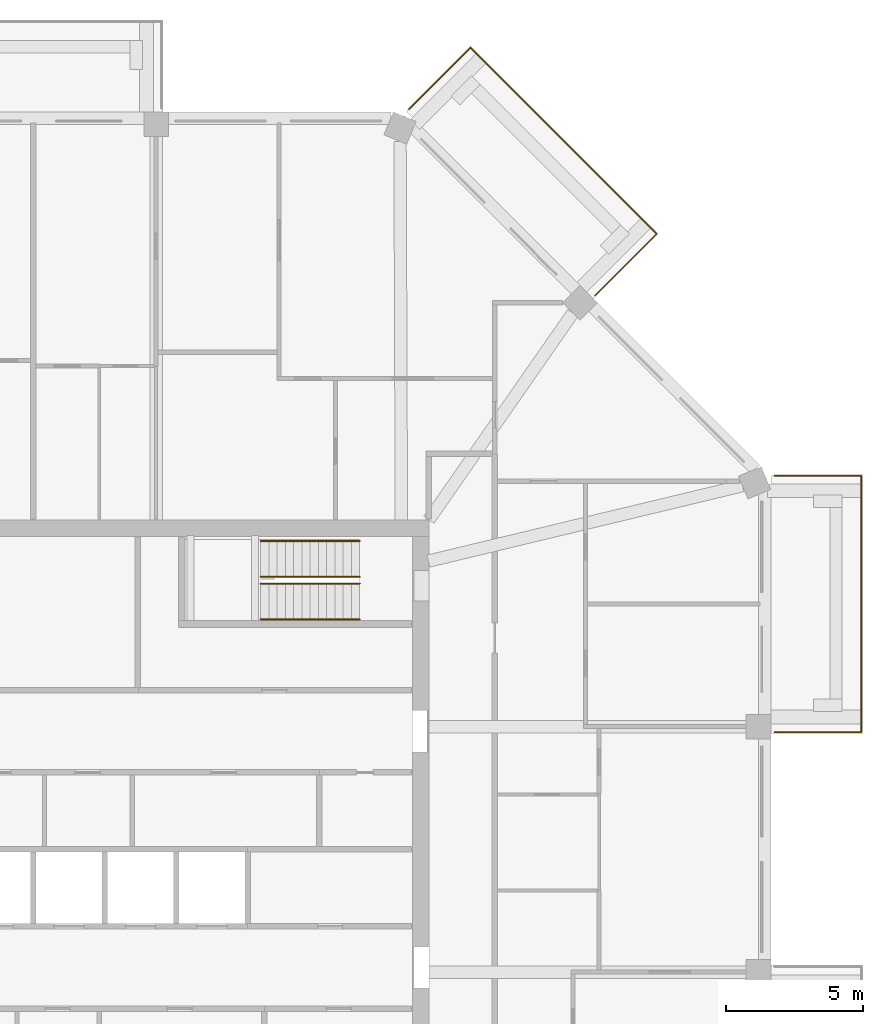
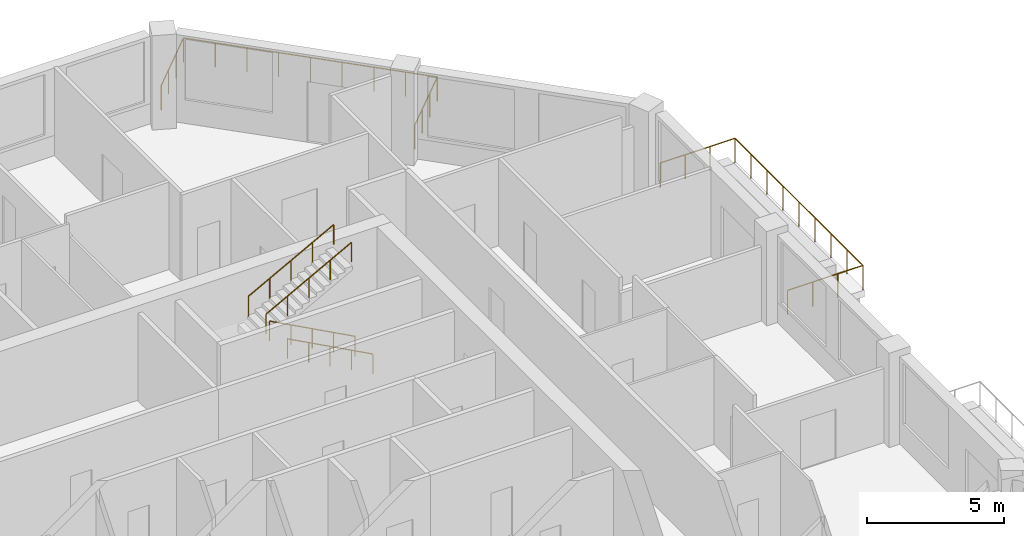
# One storey, part 12 of 12: 6 railings.
"""IFC4 building model written with IfcOpenShell, lengths in metres."""

from ifc_helpers import new_model, si_unit, direction, frame, origin, origin_2d, place, context, subcontext, project, spatial, circle, extrude, material, constituent, constituent_set, type_object, element, save


model = new_model("IFC4")

# Units and contexts
model_context = context("Model", 3, precision=1e-05, world=origin(), true_north=direction((0.0, 1.0)))
body_context = subcontext(model_context, "Body", "Model", "MODEL_VIEW")
ifc_project = project(units=[si_unit("LENGTHUNIT", "METRE"), si_unit("AREAUNIT", "SQUARE_METRE"), si_unit("VOLUMEUNIT", "CUBIC_METRE"), si_unit("PLANEANGLEUNIT", "RADIAN"), si_unit("MASSUNIT", "GRAM", prefix="KILO")], contexts=[model_context])

# Site, building, storey
site_placement = place(None, origin())
site = spatial("IfcSite", under=ifc_project, at=site_placement, CompositionType="ELEMENT")
building_placement = place(site_placement, origin())
building = spatial("IfcBuilding", under=site, at=building_placement, Name="Msitu Wima Residences", CompositionType="ELEMENT")
storey_placement = place(building_placement, frame((0.0, 0.0, 310.5)))
storey = spatial("IfcBuildingStorey", under=building, at=storey_placement, Name="L72", CompositionType="ELEMENT", Elevation=310.5)

# Railings
ifc_material_1 = material(Name="Steel S355", Category="steel")
ifc_constituent_1 = constituent(ifc_material_1, Name="Steel S355")
ifc_material_2 = material(Name="Weathering patina")
ifc_constituent_2 = constituent(ifc_material_2, Name="Weathering patina")
ifc_constituent_set_1 = constituent_set(constituents=[ifc_constituent_1, ifc_constituent_2], Name="Steel S355")
railing_type_1 = type_object("IfcRailingType", Name="Balcony guard GR1100", PredefinedType="GUARDRAIL", material=ifc_constituent_set_1)
railing_1_placement = place(storey_placement, frame((26.97998046875, 13.592041015625, 0.0)))
element("IfcRailing", 1, at=railing_1_placement, inside=storey, type_object=railing_type_1, Name="Balcony guard E2 L72", PredefinedType="GUARDRAIL", context=body_context, shape_type="SweptSolid", body=[
    extrude(circle(Radius=0.02392578125, at=origin_2d()), frame((0.0, 0.0, 1.076171875), z_axis=(0.923276184907, 0.384136806859, 0.0), x_axis=(-0.384136806859, 0.923276184907, 0.0)), (0.0, 0.0, 1.0), 0.0361328125),
    extrude(circle(Radius=0.02392578125, at=origin_2d()), frame((0.033447265625, 0.013916015625, 1.076171875), z_axis=(1.0, 0.0, 0.0), x_axis=(0.0, 1.0, 0.0)), (0.0, 0.0, 1.0), 3.136474609375),
    extrude(circle(Radius=0.02392578125, at=origin_2d()), frame((3.169921875, 0.013916015625, 1.076171875), z_axis=(0.0, -1.0, 0.0), x_axis=(1.0, 0.0, 0.0)), (0.0, 0.0, 1.0), 9.33740234375),
    extrude(circle(Radius=0.02392578125, at=origin_2d()), frame((3.169921875, -9.323486328125, 1.076171875), z_axis=(-1.0, 0.0, 0.0), x_axis=(0.0, -1.0, 0.0)), (0.0, 0.0, 1.0), 3.169921875),
    extrude(circle(Radius=0.02099609375, at=origin_2d()), origin(), (0.0, 0.0, 1.0), 1.052001953125),
    extrude(circle(Radius=0.02099609375, at=origin_2d()), frame((0.033447265625, 0.013916015625, 0.0)), (0.0, 0.0, 1.0), 1.052001953125),
    extrude(circle(Radius=0.02099609375, at=origin_2d()), frame((1.078857421875, 0.013916015625, 0.0)), (0.0, 0.0, 1.0), 1.052001953125),
    extrude(circle(Radius=0.02099609375, at=origin_2d()), frame((2.12451171875, 0.013916015625, 0.0)), (0.0, 0.0, 1.0), 1.052001953125),
    extrude(circle(Radius=0.02099609375, at=origin_2d()), frame((3.169921875, 0.013916015625, 0.0)), (0.0, 0.0, 1.0), 1.052001953125),
    extrude(circle(Radius=0.02099609375, at=origin_2d()), frame((3.169921875, -1.1533203125, 0.0)), (0.0, 0.0, 1.0), 1.052001953125),
    extrude(circle(Radius=0.02099609375, at=origin_2d()), frame((3.169921875, -2.3203125, 0.0)), (0.0, 0.0, 1.0), 1.052001953125),
    extrude(circle(Radius=0.02099609375, at=origin_2d()), frame((3.169921875, -3.487548828125, 0.0)), (0.0, 0.0, 1.0), 1.052001953125),
    extrude(circle(Radius=0.02099609375, at=origin_2d()), frame((3.169921875, -4.65478515625, 0.0)), (0.0, 0.0, 1.0), 1.052001953125),
    extrude(circle(Radius=0.02099609375, at=origin_2d()), frame((3.169921875, -5.822021484375, 0.0)), (0.0, 0.0, 1.0), 1.052001953125),
    extrude(circle(Radius=0.02099609375, at=origin_2d()), frame((3.169921875, -6.9892578125, 0.0)), (0.0, 0.0, 1.0), 1.052001953125),
    extrude(circle(Radius=0.02099609375, at=origin_2d()), frame((3.169921875, -8.15625, 0.0)), (0.0, 0.0, 1.0), 1.052001953125),
    extrude(circle(Radius=0.02099609375, at=origin_2d()), frame((3.169921875, -9.323486328125, 0.0)), (0.0, 0.0, 1.0), 1.052001953125),
    extrude(circle(Radius=0.02099609375, at=origin_2d()), frame((2.11328125, -9.323486328125, 0.0)), (0.0, 0.0, 1.0), 1.052001953125),
    extrude(circle(Radius=0.02099609375, at=origin_2d()), frame((1.056640625, -9.323486328125, 0.0)), (0.0, 0.0, 1.0), 1.052001953125),
    extrude(circle(Radius=0.02099609375, at=origin_2d()), frame((0.0, -9.323486328125, 0.0)), (0.0, 0.0, 1.0), 1.052001953125),
])
railing_2_placement = place(storey_placement, frame((13.684326171875, 26.941650390625, 0.0)))
element("IfcRailing", 2, at=railing_2_placement, inside=storey, type_object=railing_type_1, Name="Balcony guard NE1 L72", PredefinedType="GUARDRAIL", context=body_context, shape_type="SweptSolid", body=[
    extrude(circle(Radius=0.02392578125, at=origin_2d()), frame((0.0, 0.0, 1.076171875), z_axis=(0.38176015442, 0.92426142649, 0.0), x_axis=(-0.92426142649, 0.38176015442, 0.0)), (0.0, 0.0, 1.0), 0.036376953125),
    extrude(circle(Radius=0.02392578125, at=origin_2d()), frame((0.013916015625, 0.03369140625, 1.076171875), z_axis=(0.707106781187, 0.707106781187, 0.0), x_axis=(-0.707106781187, 0.707106781187, 0.0)), (0.0, 0.0, 1.0), 3.136474609375),
    extrude(circle(Radius=0.02392578125, at=origin_2d()), frame((2.231689453125, 2.25146484375, 1.076171875), z_axis=(0.707106781187, -0.707106781187, 0.0), x_axis=(0.707106781187, 0.707106781187, 0.0)), (0.0, 0.0, 1.0), 9.58837890625),
    extrude(circle(Radius=0.02392578125, at=origin_2d()), frame((9.01171875, -4.528564453125, 1.076171875), z_axis=(-0.707106781187, -0.707106781187, 0.0), x_axis=(0.707106781187, -0.707106781187, 0.0)), (0.0, 0.0, 1.0), 3.169921875),
    extrude(circle(Radius=0.02099609375, at=origin_2d()), origin(), (0.0, 0.0, 1.0), 1.052001953125),
    extrude(circle(Radius=0.02099609375, at=origin_2d()), frame((0.013916015625, 0.03369140625, 0.0)), (0.0, 0.0, 1.0), 1.052001953125),
    extrude(circle(Radius=0.02099609375, at=origin_2d()), frame((0.753173828125, 0.77294921875, 0.0)), (0.0, 0.0, 1.0), 1.052001953125),
    extrude(circle(Radius=0.02099609375, at=origin_2d()), frame((1.492431640625, 1.51220703125, 0.0)), (0.0, 0.0, 1.0), 1.052001953125),
    extrude(circle(Radius=0.02099609375, at=origin_2d()), frame((2.231689453125, 2.25146484375, 0.0)), (0.0, 0.0, 1.0), 1.052001953125),
    extrude(circle(Radius=0.02099609375, at=origin_2d()), frame((3.0791015625, 1.404052734375, 0.0)), (0.0, 0.0, 1.0), 1.052001953125),
    extrude(circle(Radius=0.02099609375, at=origin_2d()), frame((3.9267578125, 0.556396484375, 0.0)), (0.0, 0.0, 1.0), 1.052001953125),
    extrude(circle(Radius=0.02099609375, at=origin_2d()), frame((4.774169921875, -0.291015625, 0.0)), (0.0, 0.0, 1.0), 1.052001953125),
    extrude(circle(Radius=0.02099609375, at=origin_2d()), frame((5.62158203125, -1.138671875, 0.0)), (0.0, 0.0, 1.0), 1.052001953125),
    extrude(circle(Radius=0.02099609375, at=origin_2d()), frame((6.46923828125, -1.986083984375, 0.0)), (0.0, 0.0, 1.0), 1.052001953125),
    extrude(circle(Radius=0.02099609375, at=origin_2d()), frame((7.316650390625, -2.83349609375, 0.0)), (0.0, 0.0, 1.0), 1.052001953125),
    extrude(circle(Radius=0.02099609375, at=origin_2d()), frame((8.164306640625, -3.68115234375, 0.0)), (0.0, 0.0, 1.0), 1.052001953125),
    extrude(circle(Radius=0.02099609375, at=origin_2d()), frame((9.01171875, -4.528564453125, 0.0)), (0.0, 0.0, 1.0), 1.052001953125),
    extrude(circle(Radius=0.02099609375, at=origin_2d()), frame((8.2646484375, -5.275634765625, 0.0)), (0.0, 0.0, 1.0), 1.052001953125),
    extrude(circle(Radius=0.02099609375, at=origin_2d()), frame((7.517333984375, -6.02294921875, 0.0)), (0.0, 0.0, 1.0), 1.052001953125),
    extrude(circle(Radius=0.02099609375, at=origin_2d()), frame((6.770263671875, -6.77001953125, 0.0)), (0.0, 0.0, 1.0), 1.052001953125),
])
ifc_constituent_3 = constituent(ifc_material_1, Name="Steel S355")
ifc_material_3 = material(Name="Black powder coating")
ifc_constituent_4 = constituent(ifc_material_3, Name="Black powder coating")
ifc_constituent_set_2 = constituent_set(constituents=[ifc_constituent_3, ifc_constituent_4], Name="Steel S355")
railing_type_2 = type_object("IfcRailingType", Name="Stair handrail HR1", PredefinedType="HANDRAIL", material=ifc_constituent_set_2)
for number, where, name in (
    (3, (11.875, 8.375, 0.16162109375), "Stair 3 handrail"),
    (4, (11.875, 9.675048828125, 0.16162109375), "Stair 3 handrail"),
):
    element("IfcRailing", number, at=place(storey_placement, frame(where)), inside=storey, type_object=railing_type_2, Name=name, PredefinedType="HANDRAIL", context=body_context, shape_type="SweptSolid", body=[
        extrude(circle(Radius=0.02392578125, at=origin_2d()), frame((0.0, 0.0, 0.8759765625), z_axis=(-0.880474934443, 0.0, 0.474092701714), x_axis=(0.0, -1.0, 0.0)), (0.0, 0.0, 1.0), 4.0888671875),
        extrude(circle(Radius=0.02099609375, at=origin_2d()), origin(), (0.0, 0.0, 1.0), 0.851806640625),
        extrude(circle(Radius=0.02099609375, at=origin_2d()), frame((-0.89990234375, 0.0, 0.484619140625)), (0.0, 0.0, 1.0), 0.851806640625),
        extrude(circle(Radius=0.02099609375, at=origin_2d()), frame((-1.800048828125, 0.0, 0.96923828125)), (0.0, 0.0, 1.0), 0.851806640625),
        extrude(circle(Radius=0.02099609375, at=origin_2d()), frame((-2.7001953125, 0.0, 1.453857421875)), (0.0, 0.0, 1.0), 0.851806640625),
        extrude(circle(Radius=0.02099609375, at=origin_2d()), frame((-3.60009765625, 0.0, 1.9384765625)), (0.0, 0.0, 1.0), 0.851806640625),
    ])
for number, where, name in (
    (5, (8.27490234375, 9.925048828125, 2.261474609375), "Stair 3 handrail"),
    (6, (8.27490234375, 11.22509765625, 2.261474609375), "Stair 3 handrail"),
):
    element("IfcRailing", number, at=place(storey_placement, frame(where)), inside=storey, type_object=railing_type_2, Name=name, PredefinedType="HANDRAIL", context=body_context, shape_type="SweptSolid", body=[
        extrude(circle(Radius=0.02392578125, at=origin_2d()), frame((0.0, 0.0, 0.8759765625), z_axis=(0.880474934443, 0.0, 0.474092701714), x_axis=(0.0, 1.0, 0.0)), (0.0, 0.0, 1.0), 4.0888671875),
        extrude(circle(Radius=0.02099609375, at=origin_2d()), origin(), (0.0, 0.0, 1.0), 0.851806640625),
        extrude(circle(Radius=0.02099609375, at=origin_2d()), frame((0.89990234375, 0.0, 0.484619140625)), (0.0, 0.0, 1.0), 0.851806640625),
        extrude(circle(Radius=0.02099609375, at=origin_2d()), frame((1.800048828125, 0.0, 0.96923828125)), (0.0, 0.0, 1.0), 0.851806640625),
        extrude(circle(Radius=0.02099609375, at=origin_2d()), frame((2.7001953125, 0.0, 1.453857421875)), (0.0, 0.0, 1.0), 0.851806640625),
        extrude(circle(Radius=0.02099609375, at=origin_2d()), frame((3.60009765625, 0.0, 1.9384765625)), (0.0, 0.0, 1.0), 0.851806640625),
    ])

save(model, "model.ifc")
